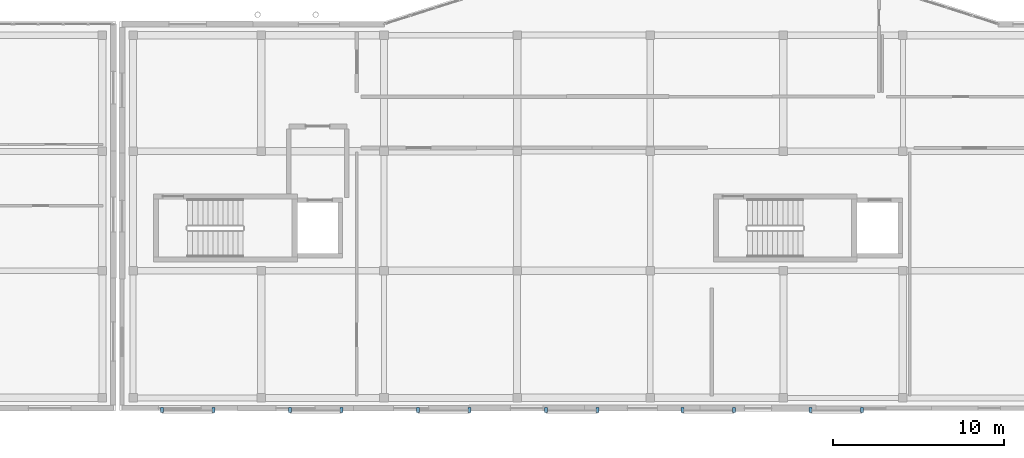
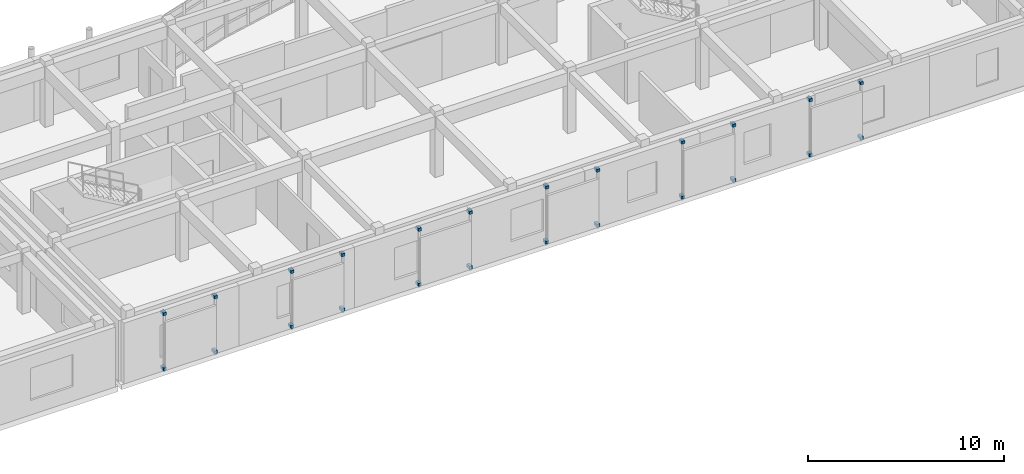
# One storey, part 86 of 91: 24 discrete accessories.
"""IFC4 building model written with IfcOpenShell, lengths in metres."""

from ifc_helpers import new_model, si_unit, direction, frame, origin, origin_2d, place, context, subcontext, project, spatial, rectangle, extrude, material, layer, layer_set, type_object, element, save


model = new_model("IFC4")

# Units and contexts
model_context = context("Model", 3, precision=1e-05, world=origin(), true_north=direction((0.0, 1.0)))
body_context = subcontext(model_context, "Body", "Model", "MODEL_VIEW")
ifc_project = project(units=[si_unit("LENGTHUNIT", "METRE"), si_unit("AREAUNIT", "SQUARE_METRE"), si_unit("VOLUMEUNIT", "CUBIC_METRE"), si_unit("PLANEANGLEUNIT", "RADIAN"), si_unit("MASSUNIT", "GRAM", prefix="KILO")], contexts=[model_context])

# Site, building, storey
site_placement = place(None, origin())
site = spatial("IfcSite", under=ifc_project, at=site_placement, CompositionType="ELEMENT")
building_placement = place(site_placement, origin())
building = spatial("IfcBuilding", under=site, at=building_placement, Name="Valcora Specialist Clinic", CompositionType="ELEMENT")
storey_placement = place(building_placement, frame((0.0, 0.0, 13.60009765625)))
storey = spatial("IfcBuildingStorey", under=building, at=storey_placement, Name="L03", CompositionType="ELEMENT", Elevation=13.60009765625)

# Discrete accessories
ifc_material = material(Name="Stainless Steel AISI 316", Category="steel")
ifc_layer = layer(ifc_material, 0.280029296875)
ifc_layer_set = layer_set([ifc_layer], Name="Stainless Steel AISI 316")
discrete_accessory_type = type_object("IfcDiscreteAccessoryType", Name="TY-DA-BRK250", PredefinedType="BRACKET", material=ifc_layer_set)
for number, where, z_axis, x_axis, name in (
    (1, (56.0, 0.030029296875, 0.08984375), (0.0, 0.0, 1.0), (1.0, 0.0, 0.0), "Stainless facade standoff bracket 137"),
    (2, (56.0, 0.030029296875, 3.509765625), (0.0, 0.0, 1.0), (1.0, 0.0, 0.0), "Stainless facade standoff bracket 138"),
    (3, (59.0, 0.030029296875, 0.08984375), (0.0, 0.0, 1.0), (1.0, 0.0, 0.0), "Stainless facade standoff bracket 139"),
    (4, (59.0, 0.030029296875, 3.509765625), (0.0, 0.0, 1.0), (1.0, 0.0, 0.0), "Stainless facade standoff bracket 140"),
    (5, (63.5, 0.030029296875, 0.08984375), (0.0, 0.0, 1.0), (1.0, 0.0, 0.0), "Stainless facade standoff bracket 141"),
    (6, (63.5, 0.030029296875, 3.509765625), (0.0, 0.0, 1.0), (1.0, 0.0, 0.0), "Stainless facade standoff bracket 142"),
    (7, (66.5, 0.030029296875, 0.08984375), (0.0, 0.0, 1.0), (1.0, 0.0, 0.0), "Stainless facade standoff bracket 143"),
    (8, (66.5, 0.030029296875, 3.509765625), (0.0, 0.0, 1.0), (1.0, 0.0, 0.0), "Stainless facade standoff bracket 144"),
    (9, (71.0, 0.030029296875, 0.08984375), (0.0, 0.0, 1.0), (1.0, 0.0, 0.0), "Stainless facade standoff bracket 145"),
    (10, (71.0, 0.030029296875, 3.509765625), (0.0, 0.0, 1.0), (1.0, 0.0, 0.0), "Stainless facade standoff bracket 146"),
    (11, (74.0, 0.030029296875, 0.08984375), (0.0, 0.0, 1.0), (1.0, 0.0, 0.0), "Stainless facade standoff bracket 147"),
    (12, (74.0, 0.030029296875, 3.509765625), (0.0, 0.0, 1.0), (1.0, 0.0, 0.0), "Stainless facade standoff bracket 148"),
    (13, (78.5, 0.030029296875, 0.08984375), (0.0, 0.0, 1.0), (1.0, 0.0, 0.0), "Stainless facade standoff bracket 149"),
    (14, (78.5, 0.030029296875, 3.509765625), (0.0, 0.0, 1.0), (1.0, 0.0, 0.0), "Stainless facade standoff bracket 150"),
    (15, (81.5, 0.030029296875, 0.08984375), (0.0, 0.0, 1.0), (1.0, 0.0, 0.0), "Stainless facade standoff bracket 151"),
    (16, (81.5, 0.030029296875, 3.509765625), (0.0, 0.0, 1.0), (1.0, 0.0, 0.0), "Stainless facade standoff bracket 152"),
    (17, (86.5, 0.030029296875, 0.08984375), (0.0, 0.0, 1.0), (1.0, 0.0, 0.0), "Stainless facade standoff bracket 153"),
    (18, (86.5, 0.030029296875, 3.509765625), (0.0, 0.0, 1.0), (1.0, 0.0, 0.0), "Stainless facade standoff bracket 154"),
    (19, (89.5, 0.030029296875, 0.08984375), (0.0, 0.0, 1.0), (1.0, 0.0, 0.0), "Stainless facade standoff bracket 155"),
    (20, (89.5, 0.030029296875, 3.509765625), (0.0, 0.0, 1.0), (1.0, 0.0, 0.0), "Stainless facade standoff bracket 156"),
    (21, (94.0, 0.030029296875, 0.08984375), (0.0, 0.0, 1.0), (1.0, 0.0, 0.0), "Stainless facade standoff bracket 157"),
    (22, (94.0, 0.030029296875, 3.509765625), (0.0, 0.0, 1.0), (1.0, 0.0, 0.0), "Stainless facade standoff bracket 158"),
    (23, (97.0, 0.030029296875, 0.08984375), (0.0, 0.0, 1.0), (1.0, 0.0, 0.0), "Stainless facade standoff bracket 159"),
    (24, (97.0, 0.030029296875, 3.509765625), (0.0, 0.0, 1.0), (1.0, 0.0, 0.0), "Stainless facade standoff bracket 160"),
):
    element("IfcDiscreteAccessory", number, at=place(storey_placement, frame(where, z_axis=z_axis, x_axis=x_axis)), inside=storey, type_object=discrete_accessory_type, Name=name, PredefinedType="BRACKET", context=body_context, shape_type="SweptSolid", body=[
        extrude(rectangle(XDim=0.179931640625, YDim=0.300048828125, at=origin_2d()), origin(), (0.0, 0.0, 1.0), 0.179931640625),
    ])

save(model, "model.ifc")
